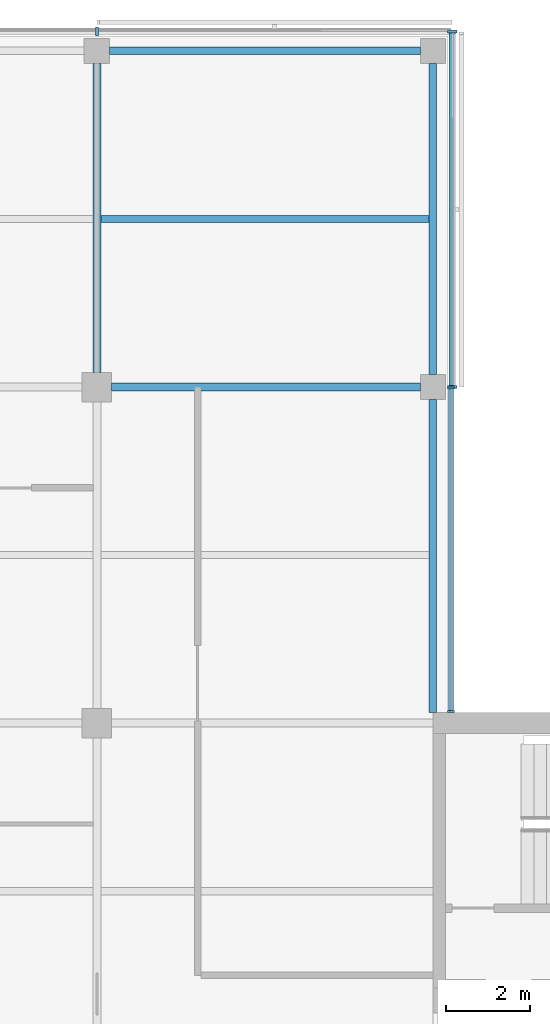
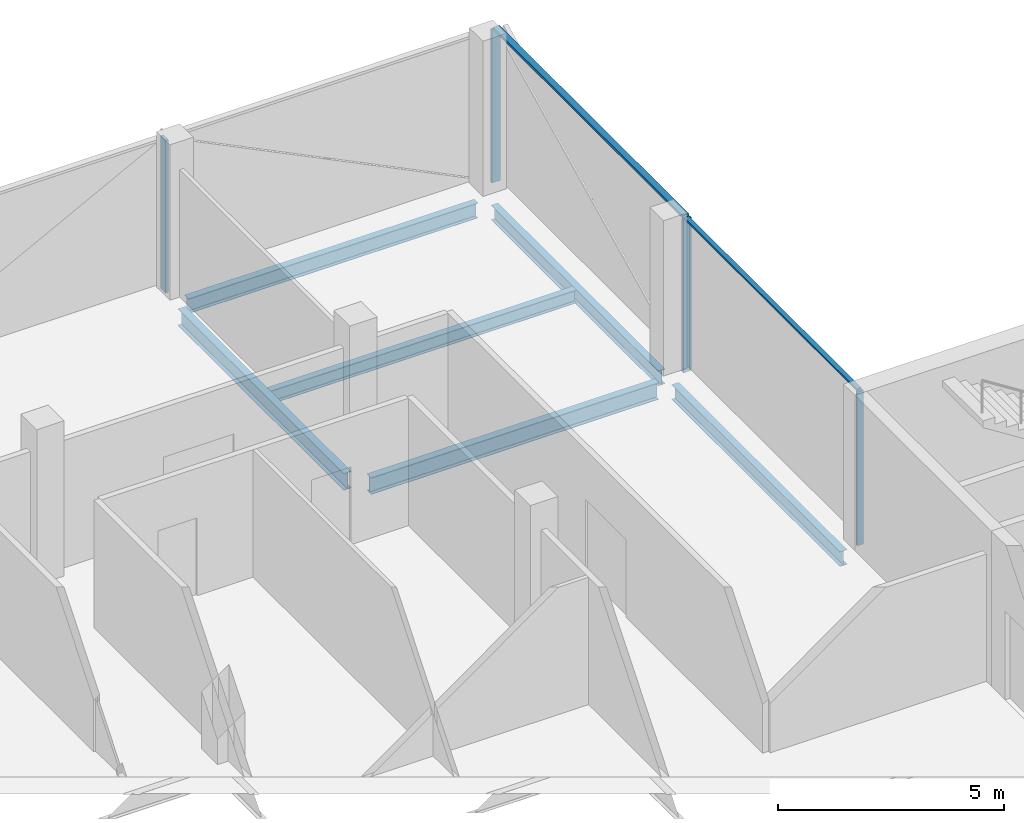
# One storey, part 7 of 15: 7 members, 6 beams, 3 elements without a shape of their own.
"""IFC4 building model written with IfcOpenShell, lengths in metres."""

from ifc_helpers import new_model, si_unit, direction, frame, origin, origin_2d, place, context, subcontext, project, spatial, rectangle, i_section, extrude, material, material_profile, profile_set, type_object, element, aggregate, save


model = new_model("IFC4")

# Units and contexts
model_context = context("Model", 3, precision=1e-05, world=origin(), true_north=direction((0.0, 1.0)))
body_context = subcontext(model_context, "Body", "Model", "MODEL_VIEW")
ifc_project = project(units=[si_unit("LENGTHUNIT", "METRE"), si_unit("AREAUNIT", "SQUARE_METRE"), si_unit("VOLUMEUNIT", "CUBIC_METRE"), si_unit("PLANEANGLEUNIT", "RADIAN"), si_unit("MASSUNIT", "GRAM", prefix="KILO")], contexts=[model_context])

# Site, building, storey
site_placement = place(None, origin())
site = spatial("IfcSite", under=ifc_project, at=site_placement, CompositionType="ELEMENT")
building_placement = place(site_placement, origin())
building = spatial("IfcBuilding", under=site, at=building_placement, Name="Crosswind Convention Tower", CompositionType="ELEMENT")
storey_placement = place(building_placement, frame((0.0, 0.0, 257.699951171875)))
storey = spatial("IfcBuildingStorey", under=building, at=storey_placement, Name="L55", CompositionType="ELEMENT", Elevation=257.699951171875)

# Beams
ifc_material_1 = material(Name="Steel S355", Category="steel")
ifc_material_profile_1 = material_profile(ifc_material_1, i_section(OverallWidth=0.177734375, OverallDepth=0.406494140625, WebThickness=0.0078125, FlangeThickness=0.0126953125, FilletRadius=0.01025390625, at=origin_2d()), Name="UB 406x178x60")
ifc_profile_set_1 = profile_set([ifc_material_profile_1], Name="Steel S355")
beam_type_1 = type_object("IfcBeamType", Name="Edge beam UB 406x178x60", PredefinedType="SPANDREL", material=ifc_profile_set_1)
beam_1_placement = place(storey_placement, frame((129.300048828125, 128.0, -0.503173828125), z_axis=(1.0, 0.0, 0.0), x_axis=(0.0, 1.0, 0.0)))
element("IfcBeam", 1, at=beam_1_placement, inside=storey, type_object=beam_type_1, Name="B15 L55 edge beam 10", PredefinedType="SPANDREL", context=body_context, shape_type="SweptSolid", body=[
    extrude(i_section(OverallWidth=0.177734375, OverallDepth=0.406494140625, WebThickness=0.0078125, FlangeThickness=0.0126953125, FilletRadius=0.01025390625, at=origin_2d()), origin(), (0.0, 0.0, 1.0), 7.39990234375),
])
beam_2_placement = place(storey_placement, frame((137.0, 112.25, -0.503173828125), z_axis=(0.0, 1.0, 0.0), x_axis=(-1.0, 0.0, 0.0)))
element("IfcBeam", 2, at=beam_2_placement, inside=storey, type_object=beam_type_1, Name="B15 L55 edge beam 13", PredefinedType="SPANDREL", context=body_context, shape_type="SweptSolid", body=[
    extrude(i_section(OverallWidth=0.177734375, OverallDepth=0.406494140625, WebThickness=0.0078125, FlangeThickness=0.0126953125, FilletRadius=0.01025390625, at=origin_2d()), origin(), (0.0, 0.0, 1.0), 7.449951171875),
])
beam_3_placement = place(storey_placement, frame((137.0, 120.300048828125, -0.503173828125), z_axis=(0.0, 1.0, 0.0), x_axis=(-1.0, 0.0, 0.0)))
element("IfcBeam", 3, at=beam_3_placement, inside=storey, type_object=beam_type_1, Name="B15 L55 edge beam 14", PredefinedType="SPANDREL", context=body_context, shape_type="SweptSolid", body=[
    extrude(i_section(OverallWidth=0.177734375, OverallDepth=0.406494140625, WebThickness=0.0078125, FlangeThickness=0.0126953125, FilletRadius=0.01025390625, at=origin_2d()), origin(), (0.0, 0.0, 1.0), 7.39990234375),
])
ifc_material_profile_2 = material_profile(ifc_material_1, i_section(OverallWidth=0.18994140625, OverallDepth=0.45361328125, WebThickness=0.008544921875, FlangeThickness=0.0126953125, FilletRadius=0.01025390625, at=origin_2d()), Name="UB 457x191x67")
ifc_profile_set_2 = profile_set([ifc_material_profile_2], Name="Steel S355")
beam_type_2 = type_object("IfcBeamType", Name="Girder UB 457x191x67", PredefinedType="BEAM", material=ifc_profile_set_2)
for number, where, z_axis, x_axis, name in (
    (4, (129.0, 120.35009765625, -0.52685546875), (0.0, 1.0, 0.0), (-1.0, 0.0, 0.0), "B1 L55 girder 22"),
    (5, (129.35009765625, 120.0, -0.52685546875), (1.0, 0.0, 0.0), (0.0, 1.0, 0.0), "B1 L55 girder 24"),
):
    element("IfcBeam", number, at=place(storey_placement, frame(where, z_axis=z_axis, x_axis=x_axis)), inside=storey, type_object=beam_type_2, Name=name, PredefinedType="BEAM", context=body_context, shape_type="SweptSolid", body=[
        extrude(i_section(OverallWidth=0.18994140625, OverallDepth=0.45361328125, WebThickness=0.008544921875, FlangeThickness=0.0126953125, FilletRadius=0.01025390625, at=origin_2d()), origin(), (0.0, 0.0, 1.0), 7.349853515625),
    ])

# Curtain wall, members
ifc_material_2 = material(Name="Aluminium unitised curtain wall", Category="aluminium")
curtain_wall_type_1 = type_object("IfcCurtainWallType", Name="CORE END SLOT WALL 160", PredefinedType="USERDEFINED", material=ifc_material_2)
curtain_wall_1_placement = place(storey_placement, origin())
curtain_wall_1 = element("IfcCurtainWall", 6, at=curtain_wall_1_placement, inside=storey, type_object=curtain_wall_type_1, Name="CW6 L55 N-E.1-1 slot", ObjectType="UNITISED", PredefinedType="USERDEFINED")
ifc_material_3 = material(Name="Aluminium mullion", Category="aluminium")
ifc_material_profile_3 = material_profile(ifc_material_3, rectangle(XDim=0.159912109375, YDim=0.050048828125, at=origin_2d()), Name="AL 160X50")
ifc_profile_set_3 = profile_set([ifc_material_profile_3], Name="Aluminium mullion")
member_type_1 = type_object("IfcMemberType", Name="MULLION 50X160", PredefinedType="MULLION", material=ifc_profile_set_3)
member_1_placement = place(storey_placement, frame((137.429931640625, 112.27490234375, -0.300048828125), z_axis=(0.0, 0.0, 1.0), x_axis=(1.0, 0.0, 0.0)))
member_1 = element("IfcMember", 7, at=member_1_placement, type_object=member_type_1, Name="CW6 mullion 1", PredefinedType="MULLION", context=body_context, shape_type="SweptSolid", body=[
    extrude(rectangle(XDim=0.159912109375, YDim=0.050048828125, at=origin_2d()), origin(), (0.0, 0.0, 1.0), 4.150146484375),
])
member_2_placement = place(storey_placement, frame((137.429931640625, 119.97509765625, -0.300048828125), z_axis=(0.0, 0.0, 1.0), x_axis=(1.0, 0.0, 0.0)))
member_2 = element("IfcMember", 8, at=member_2_placement, type_object=member_type_1, Name="CW6 mullion 2", PredefinedType="MULLION", context=body_context, shape_type="SweptSolid", body=[
    extrude(rectangle(XDim=0.159912109375, YDim=0.050048828125, at=origin_2d()), origin(), (0.0, 0.0, 1.0), 4.150146484375),
])

curtain_wall_type_2 = type_object("IfcCurtainWallType", Name="OFFICE UNITISED WALL 220", PredefinedType="USERDEFINED", material=ifc_material_2)
curtain_wall_2_placement = place(storey_placement, origin())
curtain_wall_2 = element("IfcCurtainWall", 9, at=curtain_wall_2_placement, inside=storey, type_object=curtain_wall_type_2, Name="CW3 L55 N-E 1", ObjectType="UNITISED", PredefinedType="USERDEFINED")
ifc_material_profile_4 = material_profile(ifc_material_3, rectangle(XDim=0.219970703125, YDim=0.070068359375, at=origin_2d()), Name="AL 220X70")
ifc_profile_set_4 = profile_set([ifc_material_profile_4], Name="Aluminium mullion")
member_type_2 = type_object("IfcMemberType", Name="MULLION 70X220", PredefinedType="MULLION", material=ifc_profile_set_4)
member_3_placement = place(storey_placement, frame((137.4599609375, 120.0, -0.300048828125), z_axis=(0.0, 0.0, 1.0), x_axis=(1.0, 0.0, 0.0)))
member_3 = element("IfcMember", 10, at=member_3_placement, type_object=member_type_2, Name="CW3 mullion 1", PredefinedType="MULLION", context=body_context, shape_type="SweptSolid", body=[
    extrude(rectangle(XDim=0.219970703125, YDim=0.070068359375, at=origin_2d()), origin(), (0.0, 0.0, 1.0), 4.130126953125),
])
member_4_placement = place(storey_placement, frame((137.4599609375, 128.4599609375, -0.300048828125), z_axis=(0.0, 0.0, 1.0), x_axis=(1.0, 0.0, 0.0)))
member_4 = element("IfcMember", 11, at=member_4_placement, type_object=member_type_2, Name="CW3 mullion 2", PredefinedType="MULLION", context=body_context, shape_type="SweptSolid", body=[
    extrude(rectangle(XDim=0.219970703125, YDim=0.070068359375, at=origin_2d()), origin(), (0.0, 0.0, 1.0), 4.130126953125),
])

# Curtain wall, member
curtain_wall_3_placement = place(storey_placement, origin())
curtain_wall_3 = element("IfcCurtainWall", 12, at=curtain_wall_3_placement, inside=storey, type_object=curtain_wall_type_2, Name="CW3 L55 N-TIP 1", ObjectType="UNITISED", PredefinedType="USERDEFINED")
member_5_placement = place(storey_placement, frame((129.0, 128.4599609375, -0.300048828125), z_axis=(0.0, 0.0, 1.0), x_axis=(0.0, 1.0, 0.0)))
member_5 = element("IfcMember", 13, at=member_5_placement, type_object=member_type_2, Name="CW3 mullion 2", PredefinedType="MULLION", context=body_context, shape_type="SweptSolid", body=[
    extrude(rectangle(XDim=0.219970703125, YDim=0.070068359375, at=origin_2d()), origin(), (0.0, 0.0, 1.0), 4.130126953125),
])
aggregate(curtain_wall_3, [member_5])

# Beam
ifc_material_profile_5 = material_profile(ifc_material_1, i_section(OverallWidth=0.17138671875, OverallDepth=0.355712890625, WebThickness=0.00732421875, FlangeThickness=0.011474609375, FilletRadius=0.01025390625, at=origin_2d()), Name="UB 356x171x51")
ifc_profile_set_5 = profile_set([ifc_material_profile_5], Name="Steel S355")
beam_type_3 = type_object("IfcBeamType", Name="Secondary beam UB 356x171x51", PredefinedType="JOIST", material=ifc_profile_set_5)
beam_4_placement = place(storey_placement, frame((129.094970703125, 124.0, -0.477783203125), z_axis=(1.0, 0.0, 0.0), x_axis=(0.0, 1.0, 0.0)))
element("IfcBeam", 14, at=beam_4_placement, inside=storey, type_object=beam_type_3, Name="B8 L55 secondary beam 21", PredefinedType="JOIST", context=body_context, shape_type="SweptSolid", body=[
    extrude(i_section(OverallWidth=0.17138671875, OverallDepth=0.355712890625, WebThickness=0.00732421875, FlangeThickness=0.011474609375, FilletRadius=0.01025390625, at=origin_2d()), origin(), (0.0, 0.0, 1.0), 7.816162109375),
])

# Member
ifc_material_4 = material(Name="Aluminium transom", Category="aluminium")
ifc_material_profile_6 = material_profile(ifc_material_4, rectangle(XDim=0.1201171875, YDim=0.050048828125, at=origin_2d()), Name="AL 120X50")
ifc_profile_set_6 = profile_set([ifc_material_profile_6], Name="Aluminium transom")
member_type_3 = type_object("IfcMemberType", Name="TRANSOM 50X120", PredefinedType="USERDEFINED", material=ifc_profile_set_6)
member_6_placement = place(storey_placement, frame((137.429931640625, 112.300048828125, 3.875), z_axis=(0.0, 1.0, 0.0), x_axis=(-1.0, 0.0, 0.0)))
member_6 = element("IfcMember", 15, at=member_6_placement, type_object=member_type_3, Name="CW6 transom", ObjectType="TRANSOM", PredefinedType="USERDEFINED", context=body_context, shape_type="SweptSolid", body=[
    extrude(rectangle(XDim=0.1201171875, YDim=0.050048828125, at=origin_2d()), origin(), (0.0, 0.0, 1.0), 7.64990234375),
])

aggregate(curtain_wall_1, [member_1, member_2, member_6])

ifc_material_profile_7 = material_profile(ifc_material_4, rectangle(XDim=0.159912109375, YDim=0.070068359375, at=origin_2d()), Name="AL 160X70")
ifc_profile_set_7 = profile_set([ifc_material_profile_7], Name="Aluminium transom")
member_type_4 = type_object("IfcMemberType", Name="TRANSOM 70X160", PredefinedType="USERDEFINED", material=ifc_profile_set_7)
member_7_placement = place(storey_placement, frame((137.4599609375, 120.034912109375, 3.864990234375), z_axis=(0.0, 1.0, 0.0), x_axis=(-1.0, 0.0, 0.0)))
member_7 = element("IfcMember", 16, at=member_7_placement, type_object=member_type_4, Name="CW3 transom", ObjectType="TRANSOM", PredefinedType="USERDEFINED", context=body_context, shape_type="SweptSolid", body=[
    extrude(rectangle(XDim=0.159912109375, YDim=0.070068359375, at=origin_2d()), origin(), (0.0, 0.0, 1.0), 8.39013671875),
])

aggregate(curtain_wall_2, [member_3, member_4, member_7])

save(model, "model.ifc")
